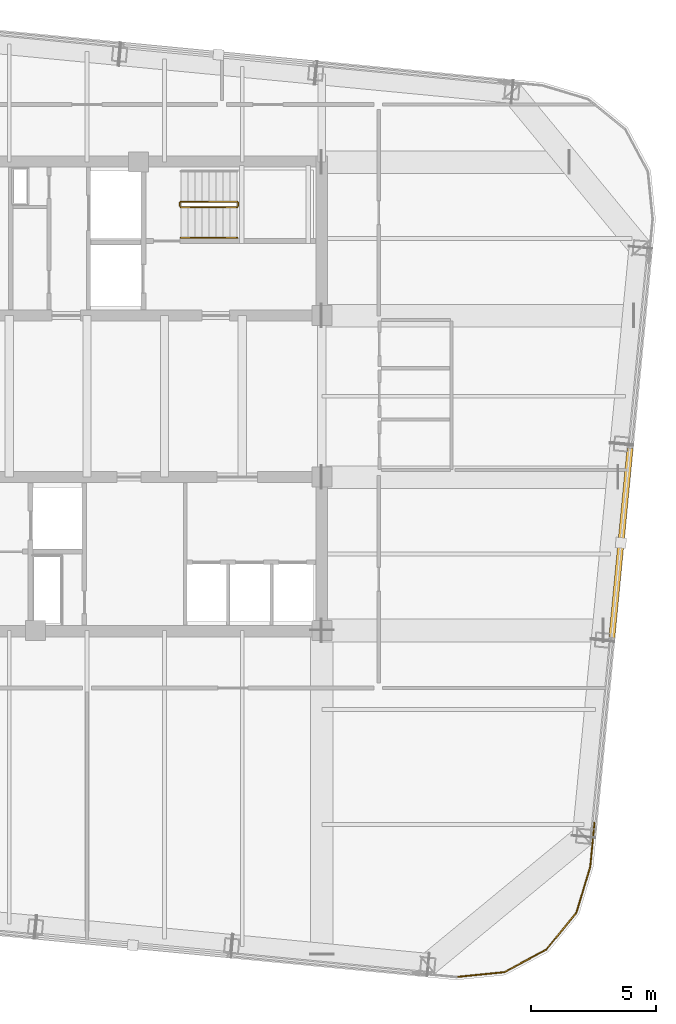
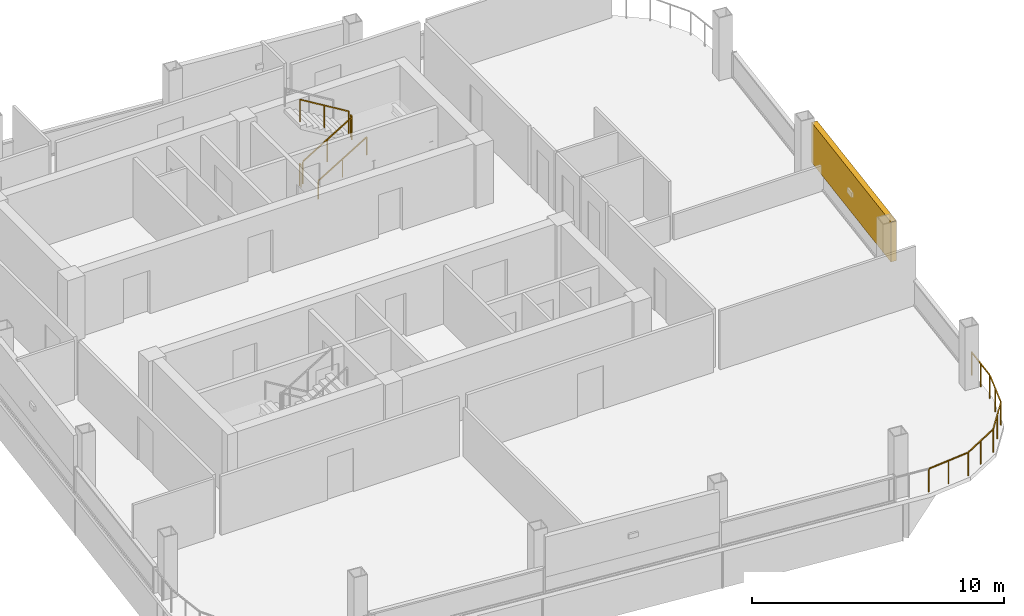
# One storey, part 20 of 21: 6 railings, 1 shading device.
"""IFC4 building model written with IfcOpenShell, lengths in metres."""

import ifcopenshell
import ifcopenshell.guid

model = None  # the IFC model being written
_history = None  # IfcOwnerHistory: only IFC2X3 demands one
_inside = {}  # id of a spatial element -> (the spatial element, [elements in it])
_under = {}  # id of a project, library or spatial element -> (it, [spatial elements below it])
_declared = {}  # id of a project -> (the project, [libraries it declares])
_typed = {}  # id of a type object -> (the type object, [elements of that type])
_made_of = {}  # id of a material, layer set ... -> (it, [elements and type objects made of it])


def new_model(schema):
    """Start an empty IFC model of exactly this schema.

    Asked for "IFC4X3", IfcOpenShell would pick the latest addendum, in which some entities
    have other attributes; the version numbers below select the first issue.
    IFC2X3 requires an IfcOwnerHistory on every rooted entity: one is made here for all.
    """
    global model, _history
    if schema == "IFC4X3":
        model = ifcopenshell.file(schema_version=(4, 3, 0, 0))
    else:
        model = ifcopenshell.file(schema=schema)
    _inside.clear()
    _under.clear()
    _declared.clear()
    _typed.clear()
    _made_of.clear()
    _history = None
    if model.schema == "IFC2X3":
        org = make("IfcOrganization", Name="unknown")
        user = make(
            "IfcPersonAndOrganization",
            ThePerson=make("IfcPerson", FamilyName="unknown"),
            TheOrganization=org,
        )
        app = make(
            "IfcApplication",
            ApplicationDeveloper=org,
            Version="unknown",
            ApplicationFullName="unknown",
            ApplicationIdentifier="unknown",
        )
        _history = make(
            "IfcOwnerHistory",
            OwningUser=user,
            OwningApplication=app,
            ChangeAction="ADDED",
            CreationDate=0,
        )
    return model


def make(cls, **values):
    """One entity of the class cls with the attributes given. An attribute that is None is left unset."""
    return model.create_entity(
        cls, **{name: value for name, value in values.items() if value is not None}
    )


def rooted(cls, **values):
    """An entity with a GlobalId (a new one), such as an element, a storey or a relation."""
    return make(cls, GlobalId=ifcopenshell.guid.new(), OwnerHistory=_history, **values)


def si_unit(unit_type, name, prefix=None):
    """IfcSIUnit, for example si_unit("LENGTHUNIT", "METRE", prefix="MILLI")."""
    return make("IfcSIUnit", UnitType=unit_type, Prefix=prefix, Name=name)


def assignment(units):
    """IfcUnitAssignment: the units of a project."""
    return None if units is None else make("IfcUnitAssignment", Units=units)


def point(xyz):
    """IfcCartesianPoint."""
    return None if xyz is None else make("IfcCartesianPoint", Coordinates=xyz)


def direction(xyz):
    """IfcDirection."""
    return None if xyz is None else make("IfcDirection", DirectionRatios=xyz)


def frame(location, z_axis=None, x_axis=None):
    """IfcAxis2Placement3D, a coordinate frame: its origin and axes. An axis left out is left unset."""
    return make(
        "IfcAxis2Placement3D",
        Location=point(location),
        Axis=direction(z_axis),
        RefDirection=direction(x_axis),
    )


def frame_2d(location, x_axis=None):
    """IfcAxis2Placement2D, a coordinate frame in the plane: its origin and x axis."""
    return make(
        "IfcAxis2Placement2D", Location=point(location), RefDirection=direction(x_axis)
    )


def origin():
    """The frame at (0, 0, 0) with its axes left unset."""
    return frame((0.0, 0.0, 0.0))


def origin_2d():
    """The frame at (0, 0) in the plane with its x axis left unset."""
    return frame_2d((0.0, 0.0))


def place(relative_to, where):
    """IfcLocalPlacement: puts the frame where relative to a parent placement (None: the world)."""
    return make(
        "IfcLocalPlacement", PlacementRelTo=relative_to, RelativePlacement=where
    )


def context(
    kind, dimensions, precision=None, world=None, true_north=None, identifier=None
):
    """IfcGeometricRepresentationContext, for example the 3D "Model" context."""
    return make(
        "IfcGeometricRepresentationContext",
        ContextIdentifier=identifier,
        ContextType=kind,
        CoordinateSpaceDimension=dimensions,
        Precision=precision,
        WorldCoordinateSystem=world,
        TrueNorth=true_north,
    )


def subcontext(parent, identifier, kind, view, scale=None):
    """IfcGeometricRepresentationSubContext, for example "Body" below "Model"."""
    return make(
        "IfcGeometricRepresentationSubContext",
        ContextIdentifier=identifier,
        ContextType=kind,
        ParentContext=parent,
        TargetScale=scale,
        TargetView=view,
    )


def project(units=None, contexts=None):
    """IfcProject with its units and contexts."""
    return rooted(
        "IfcProject",
        Name="project",
        RepresentationContexts=contexts,
        UnitsInContext=assignment(units),
    )


def spatial(cls, under=None, at=None, **own):
    """A site, building, storey or space (cls), placed at a placement, below another one or the project."""
    s = rooted(cls, ObjectPlacement=at, **own)
    if under is not None:
        _under.setdefault(under.id(), (under, []))[1].append(s)
    return s


def profile(cls, at=None, kind="AREA", **sizes):
    """A parametric profile (cls). Its sizes go by their IFC names, for example OverallWidth=200.0."""
    return make(cls, ProfileType=kind, Position=at, **sizes)


def rectangle(**sizes):
    """IfcRectangleProfileDef."""
    return profile("IfcRectangleProfileDef", **sizes)


def extrude(swept, where, along, depth):
    """IfcExtrudedAreaSolid: the profile swept, set in the frame where, extruded along a direction by depth."""
    return make(
        "IfcExtrudedAreaSolid",
        SweptArea=swept,
        Position=where,
        ExtrudedDirection=direction(along),
        Depth=depth,
    )


def shape(context_of_items, identifier, shape_type, items):
    """IfcShapeRepresentation: the items that make up one representation, for example the "Body"."""
    return make(
        "IfcShapeRepresentation",
        ContextOfItems=context_of_items,
        RepresentationIdentifier=identifier,
        RepresentationType=shape_type,
        Items=items,
    )


def material(Name=None, Category=None):
    """IfcMaterial."""
    return make("IfcMaterial", Name=Name, Category=Category)


def made_of(thing, what):
    """Note that an element or type object is made of a material, layer set ...; save() writes the relation."""
    if what is not None:
        _made_of.setdefault(what.id(), (what, []))[1].append(thing)
    return thing


def type_object(cls, material=None, **own):
    """A type object (cls), such as IfcWallType, which elements share."""
    return made_of(rooted(cls, **own), material)


def element(
    cls,
    number,
    at=None,
    inside=None,
    cuts=None,
    type_object=None,
    material=None,
    context=None,
    identifier="Body",
    shape_type=None,
    held_by="IfcProductDefinitionShape",
    body=None,
    shapes=None,
    **own,
):
    """One element of the class cls, such as IfcWall. Its Tag is "e" and its number.

    at: its placement. inside: the storey or other place that contains it. cuts: it is an
    opening in that element (IfcRelVoidsElement). A single representation is given by context,
    identifier, shape_type and body (its items); several are given by shapes. held_by: the class
    of the entity that holds the representations. save() writes the other relations.
    """
    e = rooted(cls, Tag="e%d" % number, ObjectPlacement=at, **own)
    if body is not None:
        shapes = [shape(context, identifier, shape_type, body)]
    if shapes is not None:
        e.Representation = make(held_by, Representations=shapes)
    if inside is not None:
        _inside.setdefault(inside.id(), (inside, []))[1].append(e)
    if cuts is not None:
        rooted(
            "IfcRelVoidsElement", RelatingBuildingElement=cuts, RelatedOpeningElement=e
        )
    if type_object is not None:
        _typed.setdefault(type_object.id(), (type_object, []))[1].append(e)
    return made_of(e, material)


def aggregate(whole, parts):
    """IfcRelAggregates: a whole, such as a stair, and the parts it consists of."""
    return rooted("IfcRelAggregates", RelatingObject=whole, RelatedObjects=parts)


def save(model, path):
    """Write the relations noted so far, then the file.

    IfcRelAggregates (storeys below a building ...), IfcRelContainedInSpatialStructure (elements
    in a storey), IfcRelDefinesByType, IfcRelAssociatesMaterial and IfcRelDeclares: one each for
    every whole, place, type object, material and project.
    """
    for whole, parts in _under.values():
        aggregate(whole, parts)
    for where, things in _inside.values():
        rooted(
            "IfcRelContainedInSpatialStructure",
            RelatedElements=things,
            RelatingStructure=where,
        )
    for kind, things in _typed.values():
        rooted("IfcRelDefinesByType", RelatedObjects=things, RelatingType=kind)
    for what, things in _made_of.values():
        rooted("IfcRelAssociatesMaterial", RelatedObjects=things, RelatingMaterial=what)
    for by, libraries in _declared.values():
        rooted("IfcRelDeclares", RelatingContext=by, RelatedDefinitions=libraries)
    model.write(path)


model = new_model("IFC4")

# Units and contexts
model_context = context("Model", 3, precision=1e-05, world=origin(), true_north=direction((0.0, 1.0)))
body_context = subcontext(model_context, "Body", "Model", "MODEL_VIEW")
ifc_project = project(units=[si_unit("LENGTHUNIT", "METRE"), si_unit("AREAUNIT", "SQUARE_METRE"), si_unit("VOLUMEUNIT", "CUBIC_METRE"), si_unit("PLANEANGLEUNIT", "RADIAN"), si_unit("MASSUNIT", "GRAM", prefix="KILO")], contexts=[model_context])

# Site, building, storey
site_placement = place(None, origin())
site = spatial("IfcSite", under=ifc_project, at=site_placement, CompositionType="ELEMENT")
building_placement = place(site_placement, origin())
building = spatial("IfcBuilding", under=site, at=building_placement, Name="Qhalaya Broadcast Tower", CompositionType="ELEMENT")
storey_placement = place(building_placement, frame((0.0, 0.0, 270.300048828125)))
storey = spatial("IfcBuildingStorey", under=building, at=storey_placement, Name="L80", CompositionType="ELEMENT", Elevation=270.300048828125)

# Railings
ifc_material_1 = material(Name="Powder-Coated Galvanised Steel", Category="steel")
railing_type_1 = type_object("IfcRailingType", Name="Stair Wall Handrail 900", PredefinedType="HANDRAIL", material=ifc_material_1)
railing_1_placement = place(storey_placement, frame((3.75, 6.929931640625, 0.16943359375)))
element("IfcRailing", 1, at=railing_1_placement, inside=storey, type_object=railing_type_1, Name="L80 ST-1 Stair Handrail 1", PredefinedType="HANDRAIL", context=body_context, shape_type="SweptSolid", body=[
    extrude(rectangle(XDim=0.048095703125, YDim=0.048095703125, at=origin_2d()), frame((0.0, 0.0, 0.8759765625), z_axis=(0.855553338991, 0.0, 0.51771467445), x_axis=(0.0, 1.0, 0.0)), (0.0, 0.0, 1.0), 2.6181640625),
    extrude(rectangle(XDim=0.0419921875, YDim=0.0419921875, at=origin_2d()), origin(), (0.0, 0.0, 1.0), 0.849853515625),
    extrude(rectangle(XDim=0.0419921875, YDim=0.0419921875, at=origin_2d()), frame((1.1201171875, 0.0, 0.677734375)), (0.0, 0.0, 1.0), 0.849853515625),
    extrude(rectangle(XDim=0.0419921875, YDim=0.0419921875, at=origin_2d()), frame((2.239990234375, 0.0, 1.35546875)), (0.0, 0.0, 1.0), 0.849853515625),
])
railing_type_2 = type_object("IfcRailingType", Name="Stair Well & Landing Guardrail 1100", PredefinedType="GUARDRAIL", material=ifc_material_1)
railing_2_placement = place(storey_placement, frame((3.75, 8.14990234375, 0.16943359375)))
element("IfcRailing", 2, at=railing_2_placement, inside=storey, type_object=railing_type_2, Name="L80 ST-1 Stair Guard 1", PredefinedType="GUARDRAIL", context=body_context, shape_type="SweptSolid", body=[
    extrude(rectangle(XDim=0.048095703125, YDim=0.048095703125, at=origin_2d()), frame((0.0, 0.0, 1.076171875), z_axis=(0.855553338991, 0.0, 0.51771467445), x_axis=(0.0, 1.0, 0.0)), (0.0, 0.0, 1.0), 2.6181640625),
    extrude(rectangle(XDim=0.0419921875, YDim=0.0419921875, at=origin_2d()), origin(), (0.0, 0.0, 1.0), 1.050048828125),
    extrude(rectangle(XDim=0.0419921875, YDim=0.0419921875, at=origin_2d()), frame((1.1201171875, 0.0, 0.677734375)), (0.0, 0.0, 1.0), 1.050048828125),
    extrude(rectangle(XDim=0.0419921875, YDim=0.0419921875, at=origin_2d()), frame((2.239990234375, 0.0, 1.35546875)), (0.0, 0.0, 1.0), 1.050048828125),
])
railing_3_placement = place(storey_placement, frame((6.0400390625, 8.199951171875, 1.52490234375)))
element("IfcRailing", 3, at=railing_3_placement, inside=storey, type_object=railing_type_2, Name="L80 ST-1 Stair Guard 2", PredefinedType="GUARDRAIL", context=body_context, shape_type="SweptSolid", body=[
    extrude(rectangle(XDim=0.048095703125, YDim=0.048095703125, at=origin_2d()), frame((0.0, 0.0, 1.076171875), z_axis=(0.0, 1.0, 0.0), x_axis=(-1.0, 0.0, 0.0)), (0.0, 0.0, 1.0), 0.1201171875),
    extrude(rectangle(XDim=0.0419921875, YDim=0.0419921875, at=origin_2d()), origin(), (0.0, 0.0, 1.0), 1.050048828125),
    extrude(rectangle(XDim=0.0419921875, YDim=0.0419921875, at=origin_2d()), frame((0.0, 0.1201171875, 0.0)), (0.0, 0.0, 1.0), 1.050048828125),
])
railing_4_placement = place(storey_placement, frame((5.989990234375, 8.3701171875, 1.6943359375)))
element("IfcRailing", 4, at=railing_4_placement, inside=storey, type_object=railing_type_2, Name="L80 ST-1 Stair Guard 3", PredefinedType="GUARDRAIL", context=body_context, shape_type="SweptSolid", body=[
    extrude(rectangle(XDim=0.048095703125, YDim=0.048095703125, at=origin_2d()), frame((0.0, 0.0, 1.076171875), z_axis=(-0.855512035549, 0.0, 0.517782924622), x_axis=(0.0, -1.0, 0.0)), (0.0, 0.0, 1.0), 2.618408203125),
    extrude(rectangle(XDim=0.0419921875, YDim=0.0419921875, at=origin_2d()), origin(), (0.0, 0.0, 1.0), 1.050048828125),
    extrude(rectangle(XDim=0.0419921875, YDim=0.0419921875, at=origin_2d()), frame((-1.1201171875, 0.0, 0.677734375)), (0.0, 0.0, 1.0), 1.050048828125),
    extrude(rectangle(XDim=0.0419921875, YDim=0.0419921875, at=origin_2d()), frame((-2.239990234375, 0.0, 1.355712890625)), (0.0, 0.0, 1.0), 1.050048828125),
])
railing_5_placement = place(storey_placement, frame((3.699951171875, 8.199951171875, 0.0)))
element("IfcRailing", 5, at=railing_5_placement, inside=storey, type_object=railing_type_2, Name="L80 ST-1 Stair Guard 4", PredefinedType="GUARDRAIL", context=body_context, shape_type="SweptSolid", body=[
    extrude(rectangle(XDim=0.048095703125, YDim=0.048095703125, at=origin_2d()), frame((0.0, 0.0, 1.076171875), z_axis=(0.0, 1.0, 0.0), x_axis=(-1.0, 0.0, 0.0)), (0.0, 0.0, 1.0), 0.1201171875),
    extrude(rectangle(XDim=0.0419921875, YDim=0.0419921875, at=origin_2d()), origin(), (0.0, 0.0, 1.0), 1.050048828125),
    extrude(rectangle(XDim=0.0419921875, YDim=0.0419921875, at=origin_2d()), frame((0.0, 0.1201171875, 0.0)), (0.0, 0.0, 1.0), 1.050048828125),
])
railing_type_3 = type_object("IfcRailingType", Name="Terrace, Sky-Pool & Lookout Glass Balustrade 1150", PredefinedType="BALUSTRADE", material=ifc_material_1)
railing_6_placement = place(storey_placement, frame((20.260986328125, -16.43408203125, 0.0)))
element("IfcRailing", 6, at=railing_6_placement, inside=storey, type_object=railing_type_3, Name="L80 Rounded Corner Perimeter Guard 05", PredefinedType="BALUSTRADE", context=body_context, shape_type="SweptSolid", body=[
    extrude(rectangle(XDim=0.048095703125, YDim=0.048095703125, at=origin_2d()), frame((0.0, 0.0, 1.1259765625), z_axis=(-0.09578657894, -0.99540189436, 0.0), x_axis=(0.99540189436, -0.09578657894, 0.0)), (0.0, 0.0, 1.0), 1.727294921875),
    extrude(rectangle(XDim=0.048095703125, YDim=0.048095703125, at=origin_2d()), frame((-0.176513671875, -1.775634765625, 1.1259765625), z_axis=(-0.288096282124, -0.957601447485, 0.0), x_axis=(0.957601447485, -0.288096282124, 0.0)), (0.0, 0.0, 1.0), 1.857421875),
    extrude(rectangle(XDim=0.048095703125, YDim=0.048095703125, at=origin_2d()), frame((-0.73828125, -3.6044921875, 1.1259765625), z_axis=(-0.63274871945, -0.774357190213, 0.0), x_axis=(0.774357190213, -0.63274871945, 0.0)), (0.0, 0.0, 1.0), 1.845703125),
    extrude(rectangle(XDim=0.048095703125, YDim=0.048095703125, at=origin_2d()), frame((-1.94970703125, -5.069580078125, 1.1259765625), z_axis=(-0.880932037714, -0.473242797018, 0.0), x_axis=(0.473242797018, -0.880932037714, 0.0)), (0.0, 0.0, 1.0), 1.845458984375),
    extrude(rectangle(XDim=0.048095703125, YDim=0.048095703125, at=origin_2d()), frame((-3.629638671875, -5.95947265625, 1.1259765625), z_axis=(-0.994967529225, -0.100197883148, 0.0), x_axis=(0.100197883148, -0.994967529225, 0.0)), (0.0, 0.0, 1.0), 1.88623046875),
    extrude(rectangle(XDim=0.0419921875, YDim=0.0419921875, at=origin_2d()), origin(), (0.0, 0.0, 1.0), 1.099853515625),
    extrude(rectangle(XDim=0.0419921875, YDim=0.0419921875, at=origin_2d()), frame((-0.083984375, -0.8740234375, 0.0)), (0.0, 0.0, 1.0), 1.099853515625),
    extrude(rectangle(XDim=0.0419921875, YDim=0.0419921875, at=origin_2d()), frame((-0.168212890625, -1.748046875, 0.0)), (0.0, 0.0, 1.0), 1.099853515625),
    extrude(rectangle(XDim=0.0419921875, YDim=0.0419921875, at=origin_2d()), frame((-0.444091796875, -2.6650390625, 0.0)), (0.0, 0.0, 1.0), 1.099853515625),
    extrude(rectangle(XDim=0.0419921875, YDim=0.0419921875, at=origin_2d()), frame((-0.719970703125, -3.58203125, 0.0)), (0.0, 0.0, 1.0), 1.099853515625),
    extrude(rectangle(XDim=0.0419921875, YDim=0.0419921875, at=origin_2d()), frame((-1.322265625, -4.31884765625, 0.0)), (0.0, 0.0, 1.0), 1.099853515625),
    extrude(rectangle(XDim=0.0419921875, YDim=0.0419921875, at=origin_2d()), frame((-1.92431640625, -5.055908203125, 0.0)), (0.0, 0.0, 1.0), 1.099853515625),
    extrude(rectangle(XDim=0.0419921875, YDim=0.0419921875, at=origin_2d()), frame((-2.7626953125, -5.50634765625, 0.0)), (0.0, 0.0, 1.0), 1.099853515625),
    extrude(rectangle(XDim=0.0419921875, YDim=0.0419921875, at=origin_2d()), frame((-3.600830078125, -5.95654296875, 0.0)), (0.0, 0.0, 1.0), 1.099853515625),
    extrude(rectangle(XDim=0.0419921875, YDim=0.0419921875, at=origin_2d()), frame((-4.5537109375, -6.052490234375, 0.0)), (0.0, 0.0, 1.0), 1.099853515625),
    extrude(rectangle(XDim=0.0419921875, YDim=0.0419921875, at=origin_2d()), frame((-5.50634765625, -6.1484375, 0.0)), (0.0, 0.0, 1.0), 1.099853515625),
])

# Shading device
ifc_material_2 = material(Name="Fired Architectural Terracotta", Category="masonry")
shading_device_type = type_object("IfcShadingDeviceType", Name="Terracotta Baguette Solar Screen Assembly TBS-01", PredefinedType="USERDEFINED", material=ifc_material_2)
shading_device_placement = place(storey_placement, frame((21.31787109375, -5.251708984375, 0.80078125), z_axis=(0.0, 0.0, 1.0), x_axis=(0.09584575252, 0.995396198367, 0.0)))
element("IfcShadingDevice", 7, at=shading_device_placement, inside=storey, type_object=shading_device_type, Name="L80 Fired Terracotta Baguette Screen E", ObjectType="BAGUETTE", PredefinedType="USERDEFINED", context=body_context, shape_type="SweptSolid", body=[
    extrude(rectangle(XDim=7.60009765625, YDim=0.239990234375, at=origin_2d()), origin(), (0.0, 0.0, 1.0), 1.945068359375),
])

save(model, "model.ifc")
